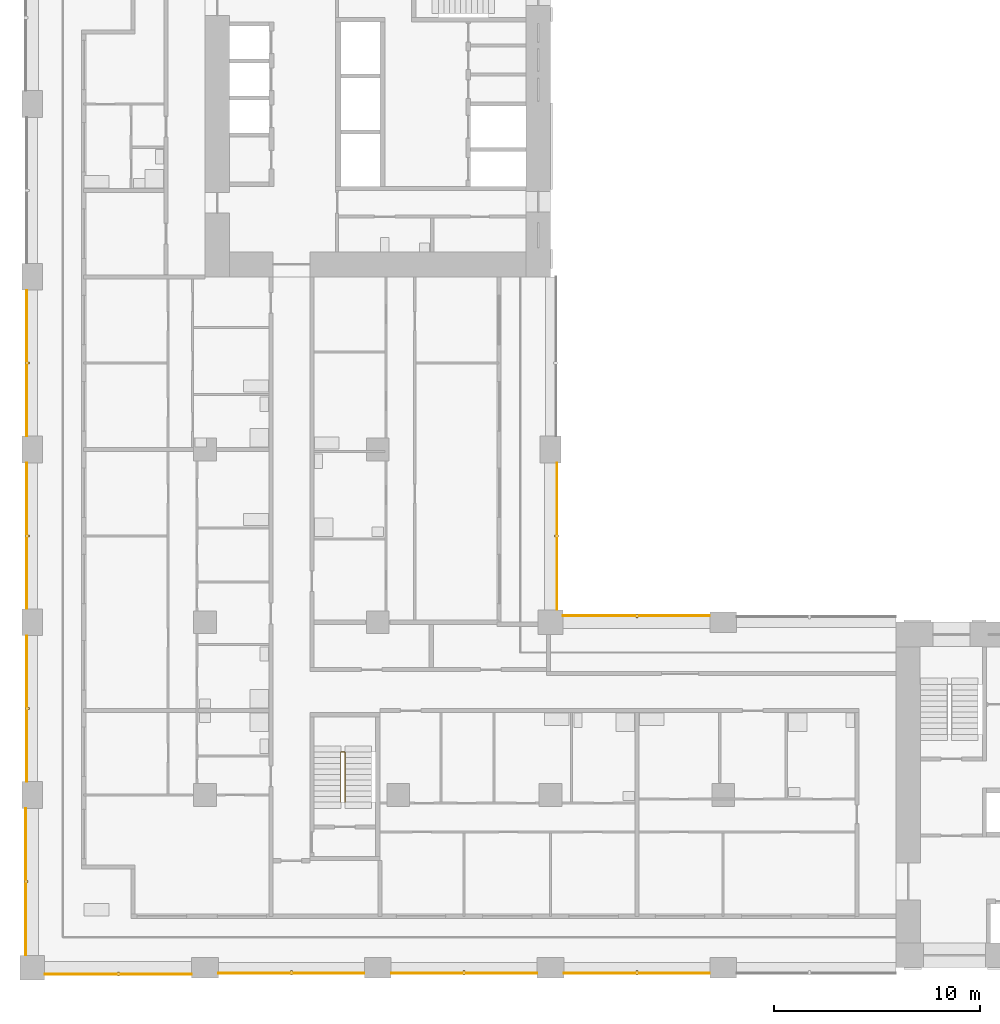
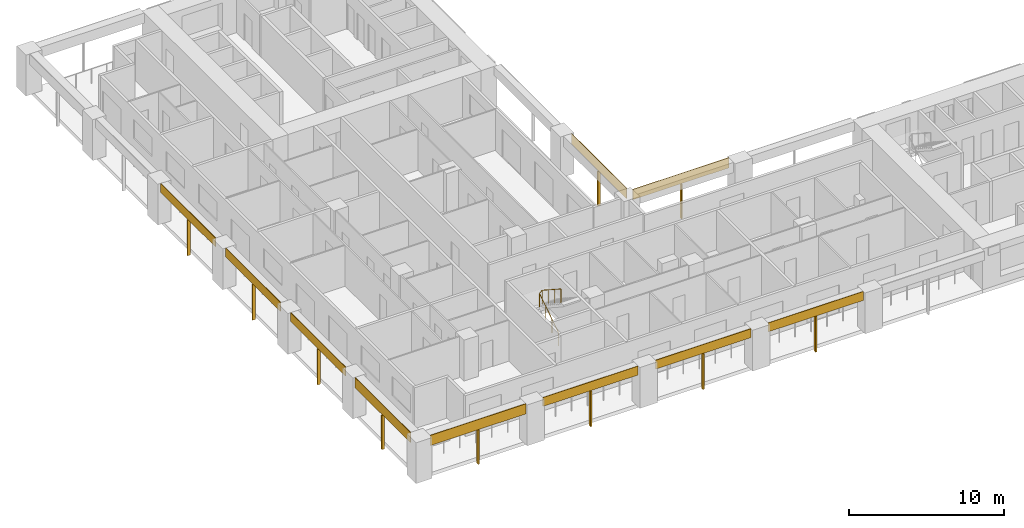
# One storey, part 9 of 17: 20 shading devices, 1 railing.
"""IFC4 building model written with IfcOpenShell, lengths in metres."""

from ifc_helpers import new_model, si_unit, direction, frame, origin, origin_2d, place, context, subcontext, project, spatial, rectangle, circle, extrude, material, layer, layer_set, material_profile, profile_set, type_object, element, save


model = new_model("IFC4")

# Units and contexts
model_context = context("Model", 3, precision=1e-05, world=origin(), true_north=direction((0.0, 1.0)))
body_context = subcontext(model_context, "Body", "Model", "MODEL_VIEW")
ifc_project = project(units=[si_unit("LENGTHUNIT", "METRE"), si_unit("AREAUNIT", "SQUARE_METRE"), si_unit("VOLUMEUNIT", "CUBIC_METRE"), si_unit("PLANEANGLEUNIT", "RADIAN"), si_unit("MASSUNIT", "GRAM", prefix="KILO")], contexts=[model_context])

# Site, building, storey
site_placement = place(None, origin())
site = spatial("IfcSite", under=ifc_project, at=site_placement, CompositionType="ELEMENT")
building_placement = place(site_placement, origin())
building = spatial("IfcBuilding", under=site, at=building_placement, Name="Vermilion Gate Residences", CompositionType="ELEMENT")
storey_placement = place(building_placement, frame((0.0, 0.0, 116.199951171875)))
storey = spatial("IfcBuildingStorey", under=building, at=storey_placement, Name="L29", CompositionType="ELEMENT", Elevation=116.199951171875)

# Shading devices
ifc_material_1 = material(Name="Perforated terracotta", Category="masonry")
ifc_layer = layer(ifc_material_1, 0.0400390625)
ifc_layer_set = layer_set([ifc_layer], Name="PERFORATED TERRACOTTA SCREEN 40")
shading_device_type_1 = type_object("IfcShadingDeviceType", Name="PERFORATED TERRACOTTA SCREEN 40", PredefinedType="SHUTTER", material=ifc_layer_set)
shading_device_1_placement = place(storey_placement, frame((4.175048828125, 8.080078125, 2.419921875), z_axis=(0.0, 0.0, 1.0), x_axis=(1.0, 0.0, 0.0)))
element("IfcShadingDevice", 1, at=shading_device_1_placement, inside=storey, type_object=shading_device_type_1, Name="SCREEN", PredefinedType="SHUTTER", context=body_context, shape_type="SweptSolid", body=[
    extrude(rectangle(XDim=7.14990234375, YDim=0.0400390625, at=origin_2d()), origin(), (0.0, 0.0, 1.0), 0.800048828125),
])
for number, where, z_axis, x_axis, name in (
    (2, (12.60009765625, 8.1298828125, 2.52001953125), (0.0, 0.0, 1.0), (1.0, 0.0, 0.0), "SCREEN"),
    (3, (21.0, 8.1298828125, 2.52001953125), (0.0, 0.0, 1.0), (1.0, 0.0, 0.0), "SCREEN"),
    (4, (29.39990234375, 8.1298828125, 2.52001953125), (0.0, 0.0, 1.0), (1.0, 0.0, 0.0), "SCREEN"),
):
    element("IfcShadingDevice", number, at=place(storey_placement, frame(where, z_axis=z_axis, x_axis=x_axis)), inside=storey, type_object=shading_device_type_1, Name=name, PredefinedType="SHUTTER", context=body_context, shape_type="SweptSolid", body=[
        extrude(rectangle(XDim=7.10009765625, YDim=0.0400390625, at=origin_2d()), origin(), (0.0, 0.0, 1.0), 0.699951171875),
    ])
for number, where, z_axis, x_axis, name in (
    (5, (29.375, 25.52001953125, 2.419921875), (0.0, 0.0, 1.0), (-1.0, 0.0, 0.0), "SCREEN"),
    (6, (25.52001953125, 29.375, 2.419921875), (0.0, 0.0, 1.0), (0.0, 1.0, 0.0), "SCREEN"),
    (7, (-0.320068359375, 12.574951171875, 2.419921875), (0.0, 0.0, 1.0), (0.0, -1.0, 0.0), "SCREEN"),
):
    element("IfcShadingDevice", number, at=place(storey_placement, frame(where, z_axis=z_axis, x_axis=x_axis)), inside=storey, type_object=shading_device_type_1, Name=name, PredefinedType="SHUTTER", context=body_context, shape_type="SweptSolid", body=[
        extrude(rectangle(XDim=7.14990234375, YDim=0.0400390625, at=origin_2d()), origin(), (0.0, 0.0, 1.0), 0.800048828125),
    ])
for number, where, z_axis, x_axis, name in (
    (8, (-0.27001953125, 21.0, 2.52001953125), (0.0, 0.0, 1.0), (0.0, -1.0, 0.0), "SCREEN"),
    (9, (-0.27001953125, 29.39990234375, 2.52001953125), (0.0, 0.0, 1.0), (0.0, -1.0, 0.0), "SCREEN"),
    (10, (-0.27001953125, 37.800048828125, 2.52001953125), (0.0, 0.0, 1.0), (0.0, -1.0, 0.0), "SCREEN"),
):
    element("IfcShadingDevice", number, at=place(storey_placement, frame(where, z_axis=z_axis, x_axis=x_axis)), inside=storey, type_object=shading_device_type_1, Name=name, PredefinedType="SHUTTER", context=body_context, shape_type="SweptSolid", body=[
        extrude(rectangle(XDim=7.10009765625, YDim=0.0400390625, at=origin_2d()), origin(), (0.0, 0.0, 1.0), 0.699951171875),
    ])

# Railing
ifc_material_2 = material(Name="Steel S355", Category="steel")
railing_type = type_object("IfcRailingType", Name="STAIR GUARD 1100 STEEL", PredefinedType="GUARDRAIL", material=ifc_material_2)
railing_placement = place(storey_placement, frame((15.0, 16.449951171875, 0.175048828125)))
element("IfcRailing", 11, at=railing_placement, inside=storey, type_object=railing_type, Name="Stair well guard STC1-29", PredefinedType="GUARDRAIL", context=body_context, shape_type="SweptSolid", body=[
    extrude(circle(Radius=0.02392578125, at=origin_2d()), frame((0.0, 0.0, 1.076171875), z_axis=(0.0, 0.839153699163, 0.543894354798), x_axis=(-1.0, 0.0, 0.0)), (0.0, 0.0, 1.0), 2.895751953125),
    extrude(circle(Radius=0.02392578125, at=origin_2d()), frame((0.0, 2.429931640625, 2.65087890625), z_axis=(0.752405939678, 0.0, 0.658699705433), x_axis=(0.0, 1.0, 0.0)), (0.0, 0.0, 1.0), 0.265869140625),
    extrude(circle(Radius=0.02392578125, at=origin_2d()), frame((0.199951171875, 2.429931640625, 2.826171875), z_axis=(0.0, -0.839153699163, 0.543894354798), x_axis=(1.0, 0.0, 0.0)), (0.0, 0.0, 1.0), 2.895751953125),
    extrude(circle(Radius=0.02099609375, at=origin_2d()), origin(), (0.0, 0.0, 1.0), 1.052001953125),
    extrude(circle(Radius=0.02099609375, at=origin_2d()), frame((0.0, 0.81005859375, 0.52490234375)), (0.0, 0.0, 1.0), 1.052001953125),
    extrude(circle(Radius=0.02099609375, at=origin_2d()), frame((0.0, 1.619873046875, 1.050048828125)), (0.0, 0.0, 1.0), 1.052001953125),
    extrude(circle(Radius=0.02099609375, at=origin_2d()), frame((0.0, 2.429931640625, 1.574951171875)), (0.0, 0.0, 1.0), 1.052001953125),
    extrude(circle(Radius=0.02099609375, at=origin_2d()), frame((0.199951171875, 2.429931640625, 1.75)), (0.0, 0.0, 1.0), 1.052001953125),
    extrude(circle(Radius=0.02099609375, at=origin_2d()), frame((0.199951171875, 1.619873046875, 2.27490234375)), (0.0, 0.0, 1.0), 1.052001953125),
    extrude(circle(Radius=0.02099609375, at=origin_2d()), frame((0.199951171875, 0.81005859375, 2.800048828125)), (0.0, 0.0, 1.0), 1.052001953125),
    extrude(circle(Radius=0.02099609375, at=origin_2d()), frame((0.199951171875, 0.0, 3.324951171875)), (0.0, 0.0, 1.0), 1.052001953125),
])

# Shading devices
ifc_material_3 = material(Name="Extruded terracotta", Category="masonry")
ifc_material_profile = material_profile(ifc_material_3, rectangle(XDim=0.199951171875, YDim=0.10009765625, at=origin_2d()), Name="BAGUETTE 100 X 200")
ifc_profile_set = profile_set([ifc_material_profile], Name="Extruded terracotta")
shading_device_type_2 = type_object("IfcShadingDeviceType", Name="TERRACOTTA BAGUETTE 100 X 200", PredefinedType="JALOUSIE", material=ifc_profile_set)
shading_device_2_placement = place(storey_placement, frame((4.199951171875, 8.10009765625, -0.280029296875), z_axis=(0.0, 0.0, 1.0), x_axis=(0.0, 1.0, 0.0)))
element("IfcShadingDevice", 12, at=shading_device_2_placement, inside=storey, type_object=shading_device_type_2, Name="BAGUETTE", PredefinedType="JALOUSIE", context=body_context, shape_type="SweptSolid", body=[
    extrude(rectangle(XDim=0.199951171875, YDim=0.10009765625, at=origin_2d()), origin(), (0.0, 0.0, 1.0), 2.7001953125),
])
for number, where, z_axis, x_axis, name in (
    (13, (12.60009765625, 8.14990234375, -0.280029296875), (0.0, 0.0, 1.0), (0.0, 1.0, 0.0), "BAGUETTE"),
    (14, (21.0, 8.14990234375, -0.280029296875), (0.0, 0.0, 1.0), (0.0, 1.0, 0.0), "BAGUETTE"),
    (15, (29.39990234375, 8.14990234375, -0.280029296875), (0.0, 0.0, 1.0), (0.0, 1.0, 0.0), "BAGUETTE"),
):
    element("IfcShadingDevice", number, at=place(storey_placement, frame(where, z_axis=z_axis, x_axis=x_axis)), inside=storey, type_object=shading_device_type_2, Name=name, PredefinedType="JALOUSIE", context=body_context, shape_type="SweptSolid", body=[
        extrude(rectangle(XDim=0.199951171875, YDim=0.10009765625, at=origin_2d()), origin(), (0.0, 0.0, 1.0), 2.800048828125),
    ])
for number, where, z_axis, x_axis, name in (
    (16, (29.39990234375, 25.5, -0.280029296875), (0.0, 0.0, 1.0), (0.0, -1.0, 0.0), "BAGUETTE"),
    (17, (25.5, 29.39990234375, -0.280029296875), (0.0, 0.0, 1.0), (-1.0, 0.0, 0.0), "BAGUETTE"),
    (18, (-0.300048828125, 12.60009765625, -0.280029296875), (0.0, 0.0, 1.0), (1.0, 0.0, 0.0), "BAGUETTE"),
):
    element("IfcShadingDevice", number, at=place(storey_placement, frame(where, z_axis=z_axis, x_axis=x_axis)), inside=storey, type_object=shading_device_type_2, Name=name, PredefinedType="JALOUSIE", context=body_context, shape_type="SweptSolid", body=[
        extrude(rectangle(XDim=0.199951171875, YDim=0.10009765625, at=origin_2d()), origin(), (0.0, 0.0, 1.0), 2.7001953125),
    ])
for number, where, z_axis, x_axis, name in (
    (19, (-0.25, 21.0, -0.280029296875), (0.0, 0.0, 1.0), (1.0, 0.0, 0.0), "BAGUETTE"),
    (20, (-0.25, 29.39990234375, -0.280029296875), (0.0, 0.0, 1.0), (1.0, 0.0, 0.0), "BAGUETTE"),
    (21, (-0.25, 37.800048828125, -0.280029296875), (0.0, 0.0, 1.0), (1.0, 0.0, 0.0), "BAGUETTE"),
):
    element("IfcShadingDevice", number, at=place(storey_placement, frame(where, z_axis=z_axis, x_axis=x_axis)), inside=storey, type_object=shading_device_type_2, Name=name, PredefinedType="JALOUSIE", context=body_context, shape_type="SweptSolid", body=[
        extrude(rectangle(XDim=0.199951171875, YDim=0.10009765625, at=origin_2d()), origin(), (0.0, 0.0, 1.0), 2.800048828125),
    ])

save(model, "model.ifc")
